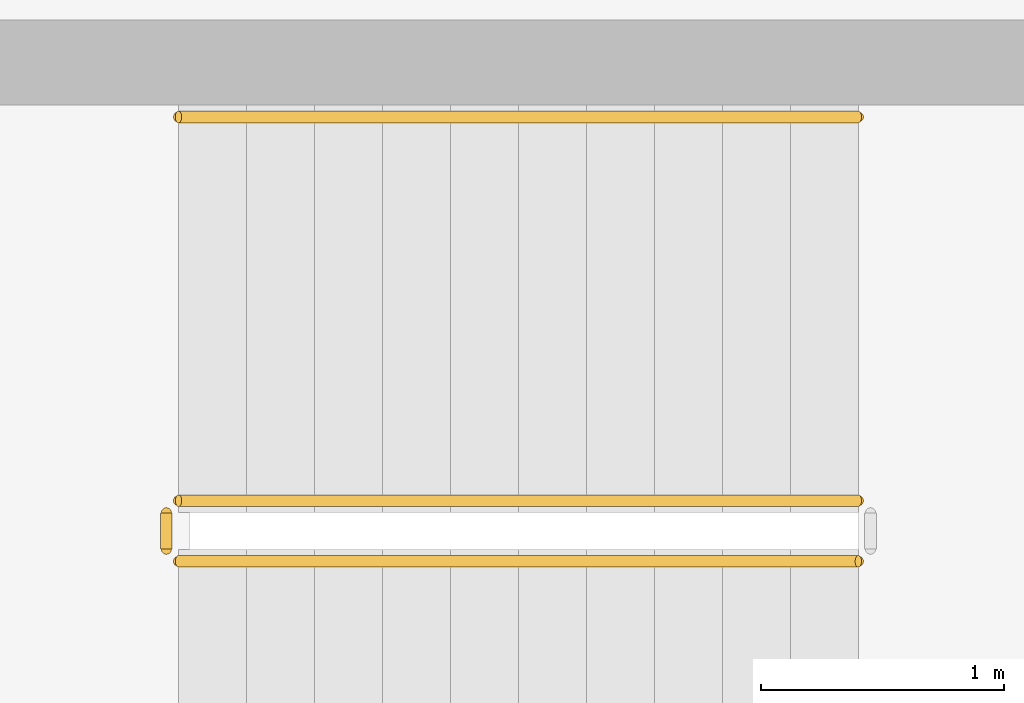
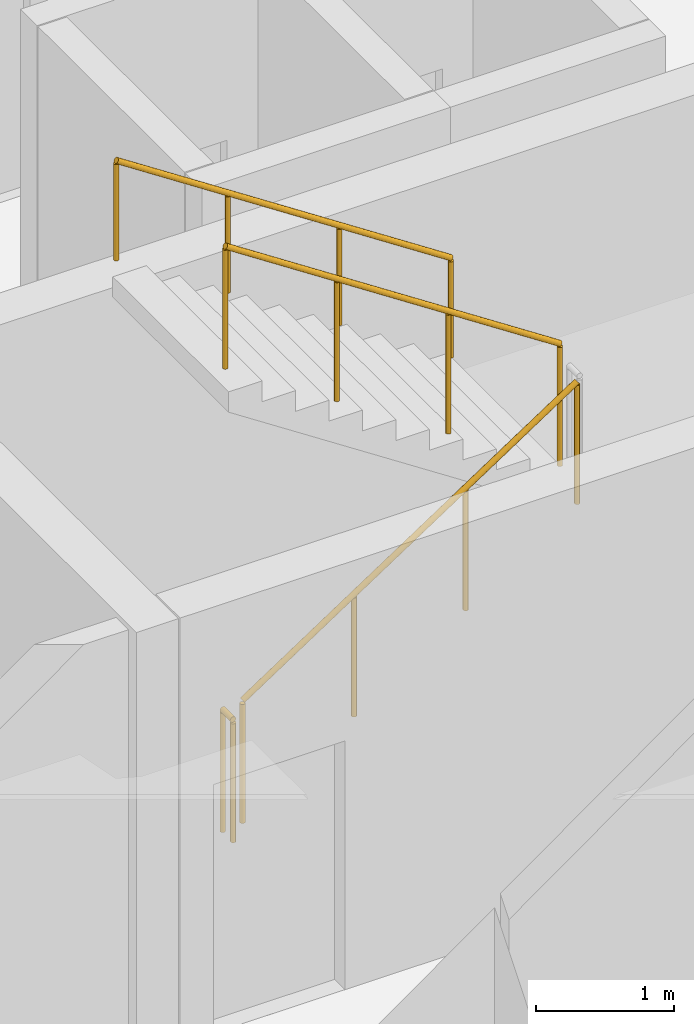
# One storey, part 37 of 42: 4 railings.
"""IFC4 building model written with IfcOpenShell, lengths in metres."""

from ifc_helpers import new_model, si_unit, direction, frame, origin, origin_2d, place, context, subcontext, project, spatial, circle, extrude, material, type_object, element, save


model = new_model("IFC4")

# Units and contexts
model_context = context("Model", 3, precision=1e-05, world=origin(), true_north=direction((0.0, 1.0)))
body_context = subcontext(model_context, "Body", "Model", "MODEL_VIEW")
ifc_project = project(units=[si_unit("LENGTHUNIT", "METRE"), si_unit("AREAUNIT", "SQUARE_METRE"), si_unit("VOLUMEUNIT", "CUBIC_METRE"), si_unit("PLANEANGLEUNIT", "RADIAN"), si_unit("MASSUNIT", "GRAM", prefix="KILO")], contexts=[model_context])

# Site, building, storey
site_placement = place(None, origin())
site = spatial("IfcSite", under=ifc_project, at=site_placement, CompositionType="ELEMENT")
building_placement = place(site_placement, origin())
building = spatial("IfcBuilding", under=site, at=building_placement, Name="Qorvath Tower", CompositionType="ELEMENT")
storey_placement = place(building_placement, frame((0.0, 0.0, 121.949951171875)))
storey = spatial("IfcBuildingStorey", under=building, at=storey_placement, Name="L27", CompositionType="ELEMENT", Elevation=121.949951171875)

# Railings
ifc_material_1 = material(Name="Painted galvanised steel", Category="steel")
railing_type_1 = type_object("IfcRailingType", Name="RL-STR-GRD", PredefinedType="GUARDRAIL", material=ifc_material_1)
railing_1_placement = place(storey_placement, frame((-22.669921875, -6.570068359375, 0.18408203125)))
element("IfcRailing", 1, at=railing_1_placement, inside=storey, type_object=railing_type_1, Name="L27 TS2 stair guard 1", PredefinedType="GUARDRAIL", context=body_context, shape_type="SweptSolid", body=[
    extrude(circle(Radius=0.02392578125, at=origin_2d()), frame((0.0, 0.0, 1.076171875), z_axis=(0.835542071712, 0.0, 0.549426470421), x_axis=(0.0, 1.0, 0.0)), (0.0, 0.0, 1.0), 3.350830078125),
    extrude(circle(Radius=0.02099609375, at=origin_2d()), origin(), (0.0, 0.0, 1.0), 1.052001953125),
    extrude(circle(Radius=0.02099609375, at=origin_2d()), frame((0.933349609375, 0.0, 0.61376953125)), (0.0, 0.0, 1.0), 1.052001953125),
    extrude(circle(Radius=0.02099609375, at=origin_2d()), frame((1.866455078125, 0.0, 1.227294921875)), (0.0, 0.0, 1.0), 1.052001953125),
    extrude(circle(Radius=0.02099609375, at=origin_2d()), frame((2.7998046875, 0.0, 1.841064453125)), (0.0, 0.0, 1.0), 1.052001953125),
])
railing_2_placement = place(storey_placement, frame((-19.8701171875, -6.320068359375, 2.209228515625)))
element("IfcRailing", 2, at=railing_2_placement, inside=storey, type_object=railing_type_1, Name="L27 TS2 stair guard 3", PredefinedType="GUARDRAIL", context=body_context, shape_type="SweptSolid", body=[
    extrude(circle(Radius=0.02392578125, at=origin_2d()), frame((0.0, 0.0, 1.076171875), z_axis=(-0.835575518608, 0.0, 0.549375602573), x_axis=(0.0, -1.0, 0.0)), (0.0, 0.0, 1.0), 3.350830078125),
    extrude(circle(Radius=0.02099609375, at=origin_2d()), origin(), (0.0, 0.0, 1.0), 1.052001953125),
    extrude(circle(Radius=0.02099609375, at=origin_2d()), frame((-0.933349609375, 0.0, 0.613525390625)), (0.0, 0.0, 1.0), 1.052001953125),
    extrude(circle(Radius=0.02099609375, at=origin_2d()), frame((-1.866455078125, 0.0, 1.227294921875)), (0.0, 0.0, 1.0), 1.052001953125),
    extrude(circle(Radius=0.02099609375, at=origin_2d()), frame((-2.7998046875, 0.0, 1.8408203125)), (0.0, 0.0, 1.0), 1.052001953125),
])
railing_3_placement = place(storey_placement, frame((-22.719970703125, -6.52001953125, 0.0)))
element("IfcRailing", 3, at=railing_3_placement, inside=storey, type_object=railing_type_1, Name="L27 TS2 stair guard 4", PredefinedType="GUARDRAIL", context=body_context, shape_type="SweptSolid", body=[
    extrude(circle(Radius=0.02392578125, at=origin_2d()), frame((0.0, 0.0, 1.076171875), z_axis=(0.0, 1.0, 0.0), x_axis=(-1.0, 0.0, 0.0)), (0.0, 0.0, 1.0), 0.14990234375),
    extrude(circle(Radius=0.02099609375, at=origin_2d()), origin(), (0.0, 0.0, 1.0), 1.052001953125),
    extrude(circle(Radius=0.02099609375, at=origin_2d()), frame((0.0, 0.14990234375, 0.0)), (0.0, 0.0, 1.0), 1.052001953125),
])
ifc_material_2 = material(Name="Brushed stainless steel AISI 304", Category="steel")
railing_type_2 = type_object("IfcRailingType", Name="RL-STR-HND", PredefinedType="HANDRAIL", material=ifc_material_2)
railing_4_placement = place(storey_placement, frame((-19.8701171875, -4.739990234375, 2.209228515625)))
element("IfcRailing", 4, at=railing_4_placement, inside=storey, type_object=railing_type_2, Name="L27 TS2 stair handrail 2", PredefinedType="HANDRAIL", context=body_context, shape_type="SweptSolid", body=[
    extrude(circle(Radius=0.02392578125, at=origin_2d()), frame((0.0, 0.0, 0.8759765625), z_axis=(-0.835575518608, 0.0, 0.549375602573), x_axis=(0.0, -1.0, 0.0)), (0.0, 0.0, 1.0), 3.350830078125),
    extrude(circle(Radius=0.02099609375, at=origin_2d()), origin(), (0.0, 0.0, 1.0), 0.851806640625),
    extrude(circle(Radius=0.02099609375, at=origin_2d()), frame((-0.933349609375, 0.0, 0.613525390625)), (0.0, 0.0, 1.0), 0.851806640625),
    extrude(circle(Radius=0.02099609375, at=origin_2d()), frame((-1.866455078125, 0.0, 1.227294921875)), (0.0, 0.0, 1.0), 0.851806640625),
    extrude(circle(Radius=0.02099609375, at=origin_2d()), frame((-2.7998046875, 0.0, 1.8408203125)), (0.0, 0.0, 1.0), 0.851806640625),
])

save(model, "model.ifc")
